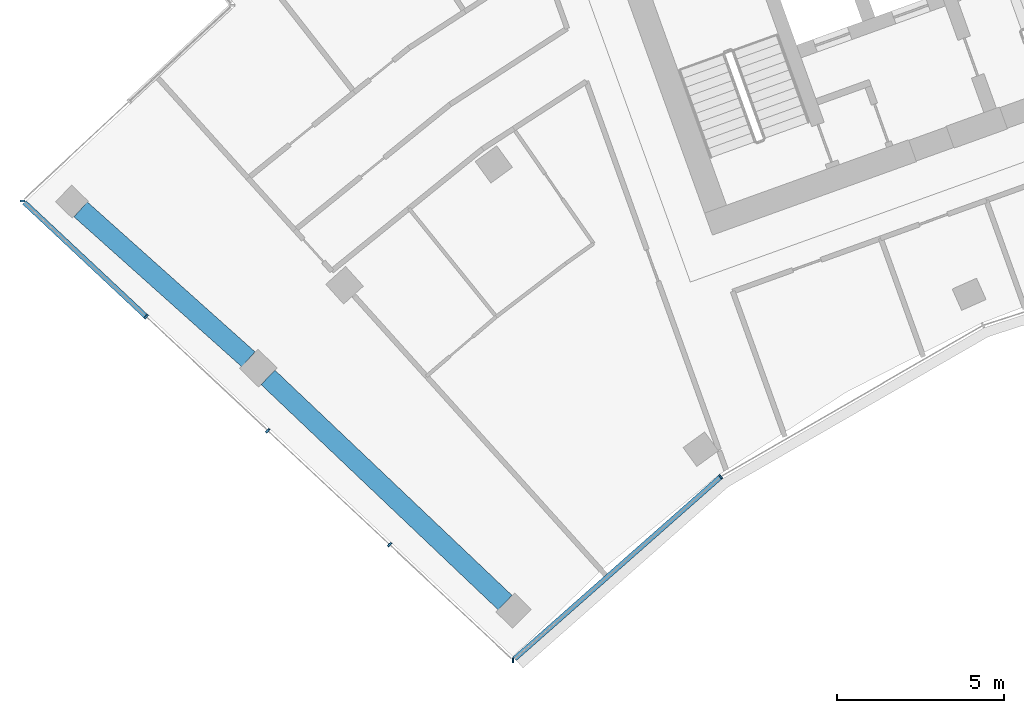
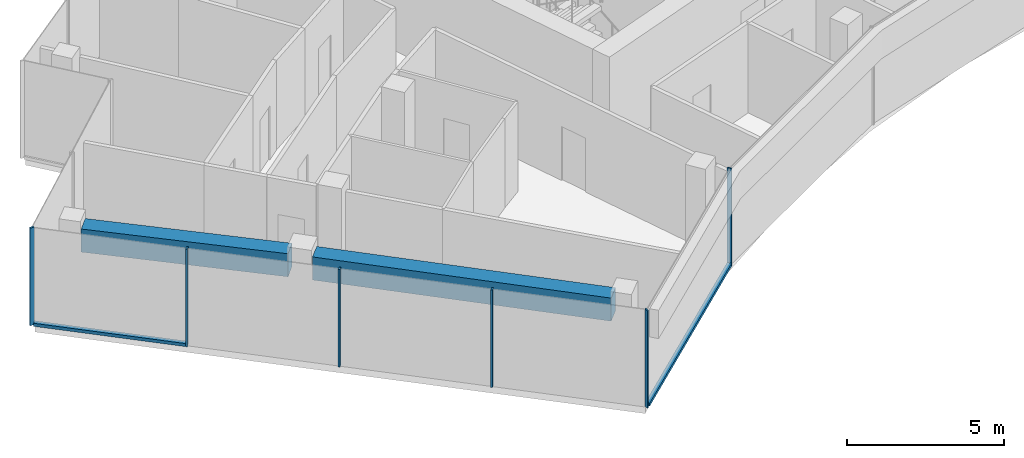
# One storey, part 2 of 18: 8 members, 2 beams, 2 elements without a shape of their own.
"""IFC4 building model written with IfcOpenShell, lengths in metres."""

from ifc_helpers import new_model, si_unit, direction, frame, origin, origin_2d, place, context, subcontext, project, spatial, rectangle, extrude, material, layer, layer_set, material_profile, profile_set, type_object, element, aggregate, save


model = new_model("IFC4")

# Units and contexts
model_context = context("Model", 3, precision=1e-05, world=origin(), true_north=direction((0.0, 1.0)))
body_context = subcontext(model_context, "Body", "Model", "MODEL_VIEW")
ifc_project = project(units=[si_unit("LENGTHUNIT", "METRE"), si_unit("AREAUNIT", "SQUARE_METRE"), si_unit("VOLUMEUNIT", "CUBIC_METRE"), si_unit("PLANEANGLEUNIT", "RADIAN"), si_unit("MASSUNIT", "GRAM", prefix="KILO")], contexts=[model_context])

# Site, building, storey
site_placement = place(None, origin())
site = spatial("IfcSite", under=ifc_project, at=site_placement, CompositionType="ELEMENT")
building_placement = place(site_placement, origin())
building = spatial("IfcBuilding", under=site, at=building_placement, Name="Stone Belt Terrace Tower", CompositionType="ELEMENT")
storey_placement = place(building_placement, frame((0.0, 0.0, 299.800048828125)))
storey = spatial("IfcBuildingStorey", under=building, at=storey_placement, Name="L73", CompositionType="ELEMENT", Elevation=299.800048828125)

# Curtain wall, members
ifc_material_1 = material(Name="Aluminium 6063-T6 anodised frame", Category="aluminium")
ifc_layer_1 = layer(ifc_material_1, 0.14990234375)
ifc_layer_set_1 = layer_set([ifc_layer_1], Name="CW-B unitised concave-face curtain wall")
curtain_wall_type_1 = type_object("IfcCurtainWallType", Name="CW-B unitised concave-face curtain wall", PredefinedType="NOTDEFINED", material=ifc_layer_set_1)
curtain_wall_1_placement = place(storey_placement, origin())
curtain_wall_1 = element("IfcCurtainWall", 1, at=curtain_wall_1_placement, inside=storey, type_object=curtain_wall_type_1, Name="CW-B concave face L73", PredefinedType="NOTDEFINED")
ifc_material_profile_1 = material_profile(ifc_material_1, rectangle(XDim=0.14990234375, YDim=0.050048828125, at=origin_2d()), Name="Aluminium 6063-T6 50x150")
ifc_profile_set_1 = profile_set([ifc_material_profile_1], Name="Aluminium 6063-T6 anodised frame")
member_type_1 = type_object("IfcMemberType", Name="CW-B mullion 50 x 150", PredefinedType="MULLION", material=ifc_profile_set_1)
member_1_placement = place(storey_placement, frame((-31.75244140625, 29.633056640625, 0.0), z_axis=(0.0, 0.0, 1.0), x_axis=(0.014681639593, 0.999892218921, 0.0)))
member_1 = element("IfcMember", 2, at=member_1_placement, type_object=member_type_1, Name="CW-B mullion 1", PredefinedType="MULLION", context=body_context, shape_type="SweptSolid", body=[
    extrude(rectangle(XDim=0.14990234375, YDim=0.050048828125, at=origin_2d()), origin(), (0.0, 0.0, 1.0), 3.800048828125),
])
member_2_placement = place(storey_placement, frame((-25.524658203125, 35.131103515625, 0.0), z_axis=(0.0, 0.0, 1.0), x_axis=(-0.583818854632, 0.811883947973, 0.0)))
member_2 = element("IfcMember", 3, at=member_2_placement, type_object=member_type_1, Name="CW-B mullion 2", PredefinedType="MULLION", context=body_context, shape_type="SweptSolid", body=[
    extrude(rectangle(XDim=0.14990234375, YDim=0.050048828125, at=origin_2d()), origin(), (0.0, 0.0, 1.0), 3.800048828125),
])
ifc_material_profile_2 = material_profile(ifc_material_1, rectangle(XDim=0.14990234375, YDim=0.1201171875, at=origin_2d()), Name="Aluminium 6063-T6 150x120")
ifc_profile_set_2 = profile_set([ifc_material_profile_2], Name="Aluminium 6063-T6 anodised frame")
member_type_2 = type_object("IfcMemberType", Name="CW-B transom 120 x 150", PredefinedType="USERDEFINED", material=ifc_profile_set_2)
member_3_placement = place(storey_placement, frame((-31.70068359375, 29.6787109375, 0.06005859375), z_axis=(0.749668527307, 0.661813492735, 0.0), x_axis=(-0.661813492735, 0.749668527307, 0.0)))
member_3 = element("IfcMember", 4, at=member_3_placement, type_object=member_type_2, Name="CW-B transom 1.1", ObjectType="TRANSOM", PredefinedType="USERDEFINED", context=body_context, shape_type="SweptSolid", body=[
    extrude(rectangle(XDim=0.14990234375, YDim=0.1201171875, at=origin_2d()), origin(), (0.0, 0.0, 1.0), 8.2060546875),
])
aggregate(curtain_wall_1, [member_1, member_2, member_3])

ifc_layer_2 = layer(ifc_material_1, 0.14990234375)
ifc_layer_set_2 = layer_set([ifc_layer_2], Name="CW-C stick curtain wall, horn ends and notches")
curtain_wall_type_2 = type_object("IfcCurtainWallType", Name="CW-C stick curtain wall, horn ends and notches", PredefinedType="NOTDEFINED", material=ifc_layer_set_2)
curtain_wall_2_placement = place(storey_placement, origin())
curtain_wall_2 = element("IfcCurtainWall", 5, at=curtain_wall_2_placement, inside=storey, type_object=curtain_wall_type_2, Name="CW-C end face L73", PredefinedType="NOTDEFINED")
ifc_material_profile_3 = material_profile(ifc_material_1, rectangle(XDim=0.14990234375, YDim=0.06005859375, at=origin_2d()), Name="Aluminium 6063-T6 60x150")
ifc_profile_set_3 = profile_set([ifc_material_profile_3], Name="Aluminium 6063-T6 anodised frame")
member_type_3 = type_object("IfcMemberType", Name="CW-C mullion 60 x 150", PredefinedType="MULLION", material=ifc_profile_set_3)
member_4_placement = place(storey_placement, frame((-46.458740234375, 43.405517578125, 0.0), z_axis=(0.0, 0.0, 1.0), x_axis=(0.999999447771, -0.00105093149, 0.0)))
member_4 = element("IfcMember", 6, at=member_4_placement, type_object=member_type_3, Name="CW-C mullion 1", PredefinedType="MULLION", context=body_context, shape_type="SweptSolid", body=[
    extrude(rectangle(XDim=0.14990234375, YDim=0.06005859375, at=origin_2d()), origin(), (0.0, 0.0, 1.0), 3.800048828125),
])
member_5_placement = place(storey_placement, frame((-42.750732421875, 39.932861328125, 0.0), z_axis=(0.0, 0.0, 1.0), x_axis=(0.683549434973, 0.729904219708, 0.0)))
member_5 = element("IfcMember", 7, at=member_5_placement, type_object=member_type_3, Name="CW-C mullion 2", PredefinedType="MULLION", context=body_context, shape_type="SweptSolid", body=[
    extrude(rectangle(XDim=0.14990234375, YDim=0.06005859375, at=origin_2d()), origin(), (0.0, 0.0, 1.0), 3.800048828125),
])
member_6_placement = place(storey_placement, frame((-39.10107421875, 36.51513671875, 0.0), z_axis=(0.0, 0.0, 1.0), x_axis=(0.683549434973, 0.729904219708, 0.0)))
member_6 = element("IfcMember", 8, at=member_6_placement, type_object=member_type_3, Name="CW-C mullion 3", PredefinedType="MULLION", context=body_context, shape_type="SweptSolid", body=[
    extrude(rectangle(XDim=0.14990234375, YDim=0.06005859375, at=origin_2d()), origin(), (0.0, 0.0, 1.0), 3.800048828125),
])
member_7_placement = place(storey_placement, frame((-35.45166015625, 33.097412109375, 0.0), z_axis=(0.0, 0.0, 1.0), x_axis=(0.683549434973, 0.729904219708, 0.0)))
member_7 = element("IfcMember", 9, at=member_7_placement, type_object=member_type_3, Name="CW-C mullion 4", PredefinedType="MULLION", context=body_context, shape_type="SweptSolid", body=[
    extrude(rectangle(XDim=0.14990234375, YDim=0.06005859375, at=origin_2d()), origin(), (0.0, 0.0, 1.0), 3.800048828125),
])
ifc_material_profile_4 = material_profile(ifc_material_1, rectangle(XDim=0.14990234375, YDim=0.1201171875, at=origin_2d()), Name="Aluminium 6063-T6 150x120")
ifc_profile_set_4 = profile_set([ifc_material_profile_4], Name="Aluminium 6063-T6 anodised frame")
member_type_4 = type_object("IfcMemberType", Name="CW-C transom 120 x 150", PredefinedType="USERDEFINED", material=ifc_profile_set_4)
member_8_placement = place(storey_placement, frame((-46.40380859375, 43.35400390625, 0.06005859375), z_axis=(0.729913558916, -0.683539462292, 0.0), x_axis=(0.683539462292, 0.729913558916, 0.0)))
member_8 = element("IfcMember", 10, at=member_8_placement, type_object=member_type_4, Name="CW-C transom 1.1", ObjectType="TRANSOM", PredefinedType="USERDEFINED", context=body_context, shape_type="SweptSolid", body=[
    extrude(rectangle(XDim=0.14990234375, YDim=0.1201171875, at=origin_2d()), origin(), (0.0, 0.0, 1.0), 4.97509765625),
])
aggregate(curtain_wall_2, [member_4, member_5, member_6, member_7, member_8])

# Beams
ifc_material_2 = material(Name="Concrete B60", Category="concrete")
ifc_material_profile_5 = material_profile(ifc_material_2, rectangle(XDim=0.60009765625, YDim=0.89990234375, at=origin_2d()), Name="RC 600x900")
ifc_profile_set_5 = profile_set([ifc_material_profile_5], Name="Concrete B60")
beam_type = type_object("IfcBeamType", Name="Edge beam RC 600x900 B60", PredefinedType="SPANDREL", material=ifc_profile_set_5)
beam_1_placement = place(storey_placement, frame((-31.98876953125, 31.35791015625, 3.030029296875), z_axis=(-0.72502367576, 0.688723942946, 0.0), x_axis=(-0.688723942946, -0.72502367576, 0.0)))
element("IfcBeam", 11, at=beam_1_placement, inside=storey, type_object=beam_type, Name="Edge beam L73 A P to Q", PredefinedType="SPANDREL", context=body_context, shape_type="SweptSolid", body=[
    extrude(rectangle(XDim=0.60009765625, YDim=0.89990234375, at=origin_2d()), origin(), (0.0, 0.0, 1.0), 9.80615234375),
])
beam_2_placement = place(storey_placement, frame((-39.68701171875, 38.65380859375, 3.030029296875), z_axis=(-0.745651125692, 0.666336550666, 0.0), x_axis=(-0.666336550666, -0.745651125692, 0.0)))
element("IfcBeam", 12, at=beam_2_placement, inside=storey, type_object=beam_type, Name="Edge beam L73 A Q to R", PredefinedType="SPANDREL", context=body_context, shape_type="SweptSolid", body=[
    extrude(rectangle(XDim=0.60009765625, YDim=0.89990234375, at=origin_2d()), origin(), (0.0, 0.0, 1.0), 6.744140625),
])

save(model, "model.ifc")
